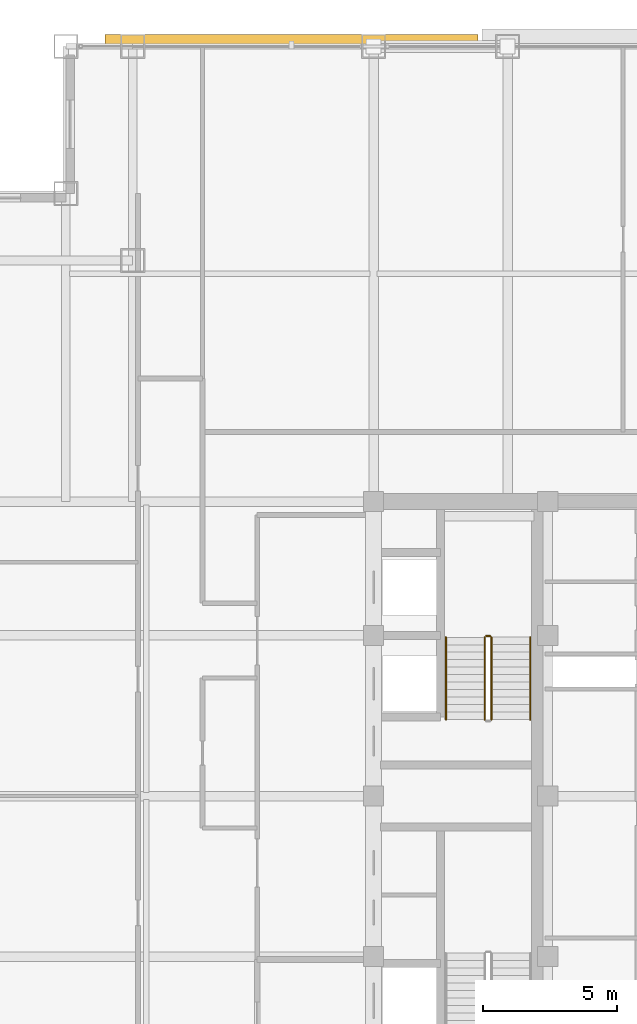
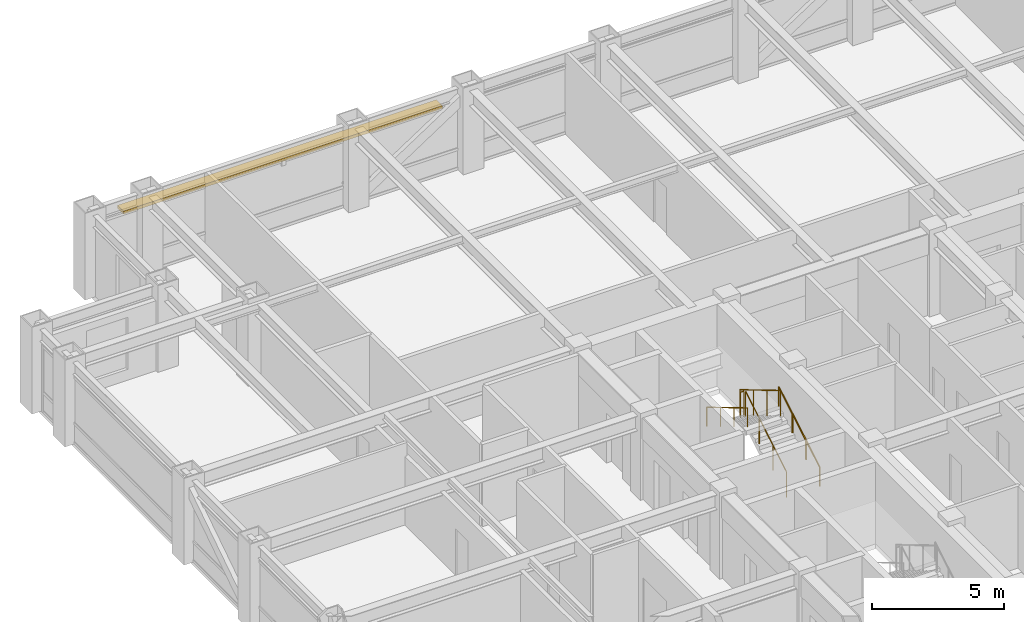
# One storey, part 26 of 27: 5 railings, 1 shading device.
"""IFC4 building model written with IfcOpenShell, lengths in metres."""

from ifc_helpers import new_model, si_unit, direction, frame, origin, origin_2d, place, context, subcontext, project, spatial, rectangle, circle, extrude, source, transform, mapped, material, layer, layer_set, type_object, element, save


model = new_model("IFC4")

# Units and contexts
model_context = context("Model", 3, precision=1e-05, world=origin(), true_north=direction((0.0, 1.0)))
body_context = subcontext(model_context, "Body", "Model", "MODEL_VIEW")
ifc_project = project(units=[si_unit("LENGTHUNIT", "METRE"), si_unit("AREAUNIT", "SQUARE_METRE"), si_unit("VOLUMEUNIT", "CUBIC_METRE"), si_unit("PLANEANGLEUNIT", "RADIAN"), si_unit("MASSUNIT", "GRAM", prefix="KILO")], contexts=[model_context])

# Site, building, storey
site_placement = place(None, origin())
site = spatial("IfcSite", under=ifc_project, at=site_placement, CompositionType="ELEMENT")
building_placement = place(site_placement, origin())
building = spatial("IfcBuilding", under=site, at=building_placement, Name="Khorayat Bourse Tower", CompositionType="ELEMENT")
storey_placement = place(building_placement, frame((0.0, 0.0, 313.5)))
storey = spatial("IfcBuildingStorey", under=building, at=storey_placement, Name="L74", CompositionType="ELEMENT", Elevation=313.5)

# Shading device
ifc_material_1 = material(Name="Precast concrete C45/55", Category="concrete")
ifc_layer = layer(ifc_material_1, 0.139892578125)
ifc_layer_set = layer_set([ifc_layer], Name="Precast concrete C45/55")
shading_device_type = type_object("IfcShadingDeviceType", Name="SHD-WAVE-TRAY-A", PredefinedType="USERDEFINED", material=ifc_layer_set)
shared_shape_1 = source(origin(), body_context, "Body", "SweptSolid", [
    extrude(rectangle(XDim=13.9267578125, YDim=0.461669921875, at=origin_2d()), origin(), (0.0, 0.0, 1.0), 0.139892578125),
])
shading_device_placement = place(storey_placement, frame((-14.066650390625, 28.2109375, 3.0302734375), z_axis=(0.0, 0.0, 1.0), x_axis=(1.0, 0.0, 0.0)))
element("IfcShadingDevice", 1, at=shading_device_placement, inside=storey, type_object=shading_device_type, Name="L74 Sinusoidal Wave Sunshade Tray N-1", ObjectType="SUNSHADE", PredefinedType="USERDEFINED", context=body_context, shape_type="MappedRepresentation", body=[
    mapped(shared_shape_1, transform((0.0, 0.0, 0.0), scale=1.0)),
])

# Railings
ifc_material_2 = material(Name="Powder-coated steel balustrade", Category="steel")
railing_type_1 = type_object("IfcRailingType", Name="RLG-GUARD-1200", PredefinedType="GUARDRAIL", material=ifc_material_2)
shared_shape_2 = source(origin(), body_context, "Body", "SweptSolid", [
    extrude(circle(Radius=0.02392578125, at=origin_2d()), frame((0.0, 0.0, 1.17578125), z_axis=(-1.0, 0.0, 0.0), x_axis=(0.0, -1.0, 0.0)), (0.0, 0.0, 1.0), 0.150146484375),
    extrude(circle(Radius=0.02099609375, at=origin_2d()), origin(), (0.0, 0.0, 1.0), 1.15185546875),
    extrude(circle(Radius=0.02099609375, at=origin_2d()), frame((-0.150146484375, 0.0, 0.0)), (0.0, 0.0, 1.0), 1.15185546875),
])
railing_1_placement = place(storey_placement, frame((-6.64990234375, 5.97998046875, 2.0)))
element("IfcRailing", 2, at=railing_1_placement, inside=storey, type_object=railing_type_1, Name="L74 ST-2 stair guard 2", PredefinedType="GUARDRAIL", context=body_context, shape_type="MappedRepresentation", body=[
    mapped(shared_shape_2, transform((0.0, 0.0, 0.0), scale=1.0)),
])
shared_shape_3 = source(origin(), body_context, "Body", "SweptSolid", [
    extrude(circle(Radius=0.02392578125, at=origin_2d()), frame((0.0, 0.0, 1.17578125), z_axis=(0.0, 0.859290745958, 0.51148745235), x_axis=(-1.0, 0.0, 0.0)), (0.0, 0.0, 1.0), 3.584228515625),
    extrude(circle(Radius=0.02099609375, at=origin_2d()), origin(), (0.0, 0.0, 1.0), 1.15185546875),
    extrude(circle(Radius=0.02099609375, at=origin_2d()), frame((0.0, 1.026611328125, 0.611083984375)), (0.0, 0.0, 1.0), 1.15185546875),
    extrude(circle(Radius=0.02099609375, at=origin_2d()), frame((0.0, 2.05322265625, 1.22216796875)), (0.0, 0.0, 1.0), 1.15185546875),
    extrude(circle(Radius=0.02099609375, at=origin_2d()), frame((0.0, 3.079833984375, 1.833251953125)), (0.0, 0.0, 1.0), 1.15185546875),
])
railing_2_placement = place(storey_placement, frame((-6.60009765625, 2.85009765625, 0.166748046875)))
element("IfcRailing", 3, at=railing_2_placement, inside=storey, type_object=railing_type_1, Name="L74 ST-2 stair guard 1", PredefinedType="GUARDRAIL", context=body_context, shape_type="MappedRepresentation", body=[
    mapped(shared_shape_3, transform((0.0, 0.0, 0.0), scale=1.0)),
])
shared_shape_4 = source(origin(), body_context, "Body", "SweptSolid", [
    extrude(circle(Radius=0.02392578125, at=origin_2d()), frame((0.0, 0.0, 1.17578125), z_axis=(0.0, -0.859290745958, 0.51148745235), x_axis=(1.0, 0.0, 0.0)), (0.0, 0.0, 1.0), 3.584228515625),
    extrude(circle(Radius=0.02099609375, at=origin_2d()), origin(), (0.0, 0.0, 1.0), 1.15185546875),
    extrude(circle(Radius=0.02099609375, at=origin_2d()), frame((0.0, -1.026611328125, 0.611083984375)), (0.0, 0.0, 1.0), 1.15185546875),
    extrude(circle(Radius=0.02099609375, at=origin_2d()), frame((0.0, -2.05322265625, 1.22216796875)), (0.0, 0.0, 1.0), 1.15185546875),
    extrude(circle(Radius=0.02099609375, at=origin_2d()), frame((0.0, -3.079833984375, 1.833251953125)), (0.0, 0.0, 1.0), 1.15185546875),
])
railing_3_placement = place(storey_placement, frame((-6.85009765625, 5.929931640625, 2.166748046875)))
element("IfcRailing", 4, at=railing_3_placement, inside=storey, type_object=railing_type_1, Name="L74 ST-2 stair guard 3", PredefinedType="GUARDRAIL", context=body_context, shape_type="MappedRepresentation", body=[
    mapped(shared_shape_4, transform((0.0, 0.0, 0.0), scale=1.0)),
])
ifc_material_3 = material(Name="Brushed bronze stainless-steel handrail", Category="steel")
railing_type_2 = type_object("IfcRailingType", Name="RLG-HAND-900", PredefinedType="HANDRAIL", material=ifc_material_3)
shared_shape_5 = source(origin(), body_context, "Body", "SweptSolid", [
    extrude(circle(Radius=0.02392578125, at=origin_2d()), frame((0.0, 0.0, 0.8759765625), z_axis=(0.0, 0.859290745958, 0.51148745235), x_axis=(-1.0, 0.0, 0.0)), (0.0, 0.0, 1.0), 3.584228515625),
    extrude(circle(Radius=0.02099609375, at=origin_2d()), origin(), (0.0, 0.0, 1.0), 0.851806640625),
    extrude(circle(Radius=0.02099609375, at=origin_2d()), frame((0.0, 1.026611328125, 0.611083984375)), (0.0, 0.0, 1.0), 0.851806640625),
    extrude(circle(Radius=0.02099609375, at=origin_2d()), frame((0.0, 2.05322265625, 1.22216796875)), (0.0, 0.0, 1.0), 0.851806640625),
    extrude(circle(Radius=0.02099609375, at=origin_2d()), frame((0.0, 3.079833984375, 1.833251953125)), (0.0, 0.0, 1.0), 0.851806640625),
])
railing_4_placement = place(storey_placement, frame((-5.14990234375, 2.85009765625, 0.166748046875)))
element("IfcRailing", 5, at=railing_4_placement, inside=storey, type_object=railing_type_2, Name="L74 ST-2 stair handrail 1", PredefinedType="HANDRAIL", context=body_context, shape_type="MappedRepresentation", body=[
    mapped(shared_shape_5, transform((0.0, 0.0, 0.0), scale=1.0)),
])
shared_shape_6 = source(origin(), body_context, "Body", "SweptSolid", [
    extrude(circle(Radius=0.02392578125, at=origin_2d()), frame((0.0, 0.0, 0.8759765625), z_axis=(0.0, -0.859290745958, 0.51148745235), x_axis=(1.0, 0.0, 0.0)), (0.0, 0.0, 1.0), 3.584228515625),
    extrude(circle(Radius=0.02099609375, at=origin_2d()), origin(), (0.0, 0.0, 1.0), 0.851806640625),
    extrude(circle(Radius=0.02099609375, at=origin_2d()), frame((0.0, -1.026611328125, 0.611083984375)), (0.0, 0.0, 1.0), 0.851806640625),
    extrude(circle(Radius=0.02099609375, at=origin_2d()), frame((0.0, -2.05322265625, 1.22216796875)), (0.0, 0.0, 1.0), 0.851806640625),
    extrude(circle(Radius=0.02099609375, at=origin_2d()), frame((0.0, -3.079833984375, 1.833251953125)), (0.0, 0.0, 1.0), 0.851806640625),
])
railing_5_placement = place(storey_placement, frame((-8.300048828125, 5.929931640625, 2.166748046875)))
element("IfcRailing", 6, at=railing_5_placement, inside=storey, type_object=railing_type_2, Name="L74 ST-2 stair handrail 2", PredefinedType="HANDRAIL", context=body_context, shape_type="MappedRepresentation", body=[
    mapped(shared_shape_6, transform((0.0, 0.0, 0.0), scale=1.0)),
])

save(model, "model.ifc")
